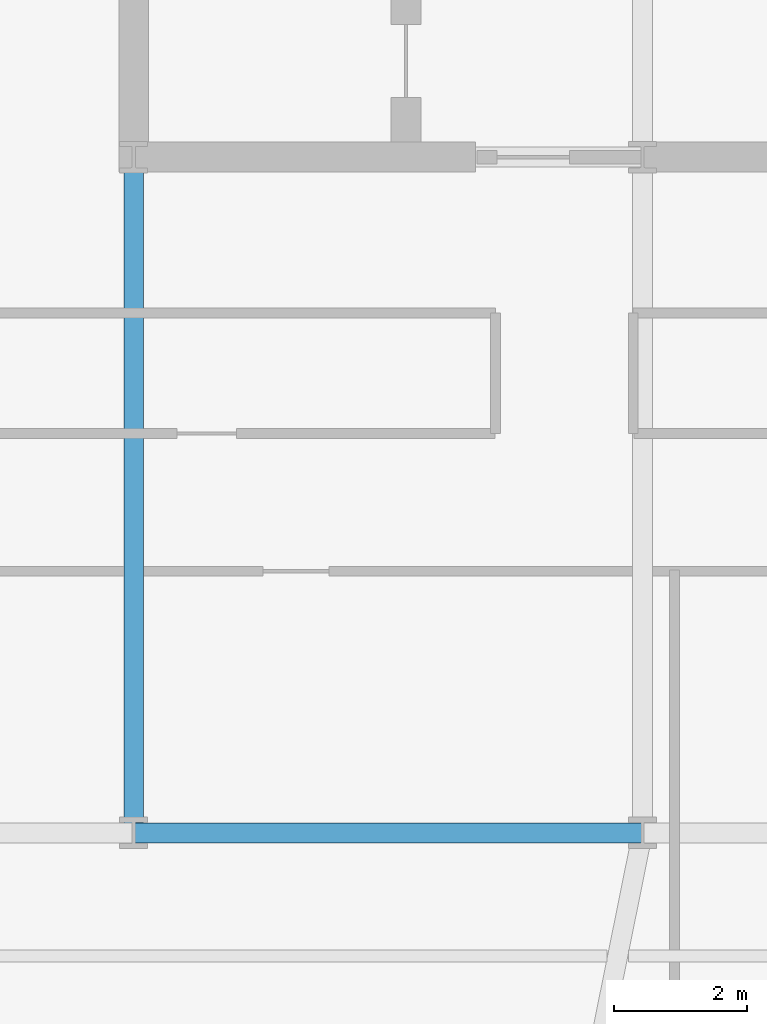
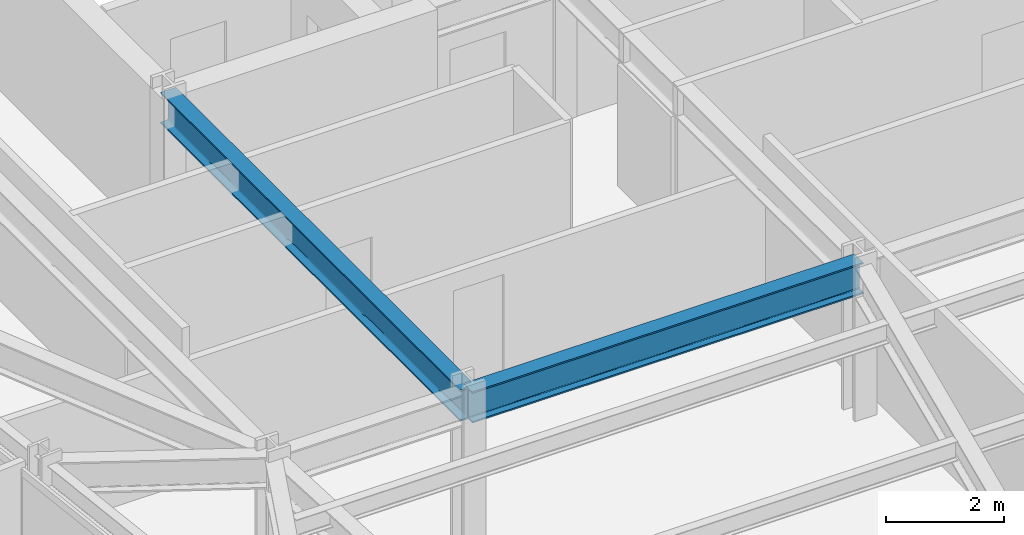
# One storey, part 7 of 32: 2 beams.
"""IFC4 building model written with IfcOpenShell, lengths in metres."""

from ifc_helpers import new_model, si_unit, direction, frame, origin, origin_2d, place, context, subcontext, project, spatial, i_section, extrude, material, material_profile, profile_set, type_object, element, save


model = new_model("IFC4")

# Units and contexts
model_context = context("Model", 3, precision=1e-05, world=origin(), true_north=direction((0.0, 1.0)))
body_context = subcontext(model_context, "Body", "Model", "MODEL_VIEW")
ifc_project = project(units=[si_unit("LENGTHUNIT", "METRE"), si_unit("AREAUNIT", "SQUARE_METRE"), si_unit("VOLUMEUNIT", "CUBIC_METRE"), si_unit("PLANEANGLEUNIT", "RADIAN"), si_unit("MASSUNIT", "GRAM", prefix="KILO")], contexts=[model_context])

# Site, building, storey
site_placement = place(None, origin())
site = spatial("IfcSite", under=ifc_project, at=site_placement, CompositionType="ELEMENT")
building_placement = place(site_placement, origin())
building = spatial("IfcBuilding", under=site, at=building_placement, Name="Yelkora Congress Tower", CompositionType="ELEMENT")
storey_placement = place(building_placement, frame((0.0, 0.0, 120.300048828125)))
storey = spatial("IfcBuildingStorey", under=building, at=storey_placement, Name="L32", CompositionType="ELEMENT", Elevation=120.300048828125)

# Beams
ifc_material = material(Name="Steel S355J2", Category="steel")
ifc_material_profile = material_profile(ifc_material, i_section(OverallWidth=0.300048828125, OverallDepth=0.64990234375, WebThickness=0.01611328125, FlangeThickness=0.031005859375, FilletRadius=0.027099609375, at=origin_2d()), Name="HEB 650")
ifc_profile_set = profile_set([ifc_material_profile], Name="Steel S355J2")
beam_type = type_object("IfcBeamType", Name="BM-GIRD-HEB650", PredefinedType="BEAM", material=ifc_profile_set)
beam_1_placement = place(storey_placement, frame((23.0400390625, 25.199951171875, 2.85498046875), z_axis=(1.0, 0.0, 0.0), x_axis=(0.0, 1.0, 0.0)))
element("IfcBeam", 1, at=beam_1_placement, inside=storey, type_object=beam_type, Name="L32 Spine Grid D Girder 2", PredefinedType="BEAM", context=body_context, shape_type="SweptSolid", body=[
    extrude(i_section(OverallWidth=0.300048828125, OverallDepth=0.64990234375, WebThickness=0.01611328125, FlangeThickness=0.031005859375, FilletRadius=0.027099609375, at=origin_2d()), origin(), (0.0, 0.0, 1.0), 7.679931640625),
])
beam_2_placement = place(storey_placement, frame((23.0400390625, 25.199951171875, 2.85498046875), z_axis=(0.0, 1.0, 0.0), x_axis=(-1.0, 0.0, 0.0)))
element("IfcBeam", 2, at=beam_2_placement, inside=storey, type_object=beam_type, Name="L32 Core Tie Girder MC-D1", PredefinedType="BEAM", context=body_context, shape_type="SweptSolid", body=[
    extrude(i_section(OverallWidth=0.300048828125, OverallDepth=0.64990234375, WebThickness=0.01611328125, FlangeThickness=0.031005859375, FilletRadius=0.027099609375, at=origin_2d()), origin(), (0.0, 0.0, 1.0), 10.199951171875),
])

save(model, "model.ifc")
